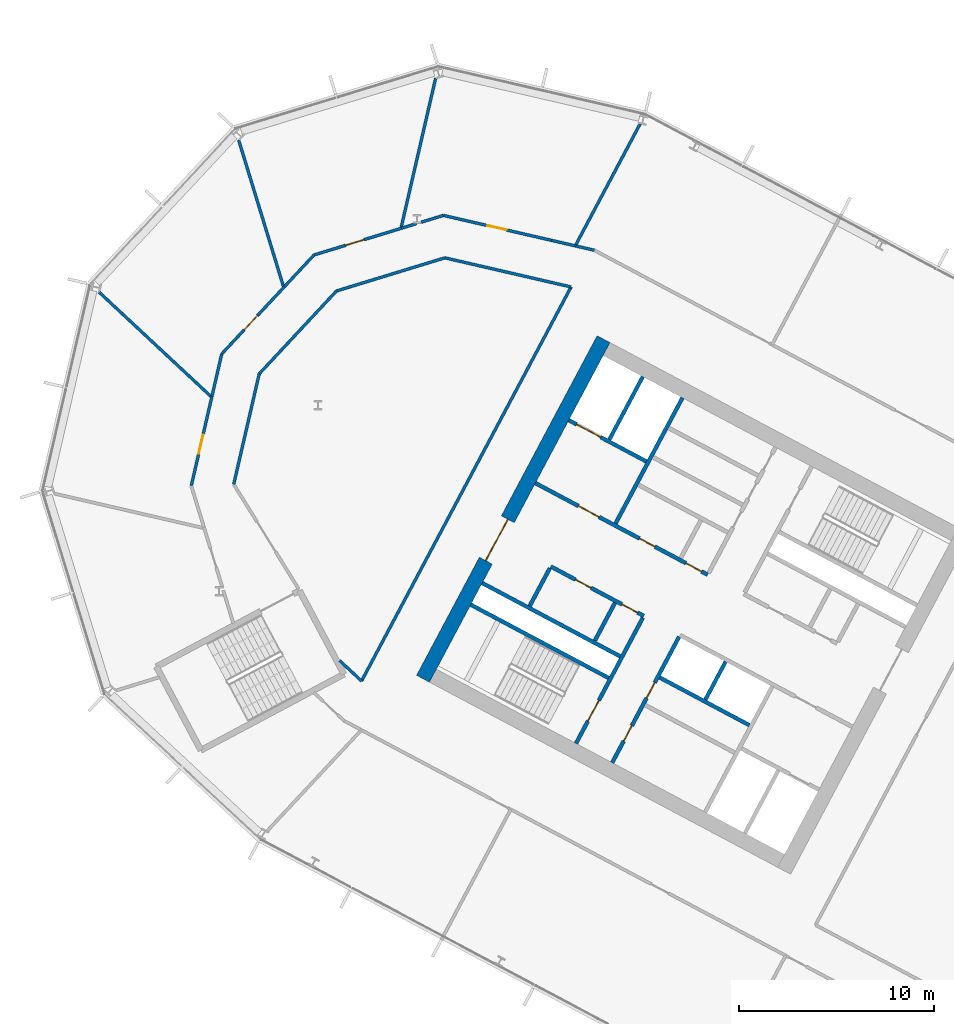
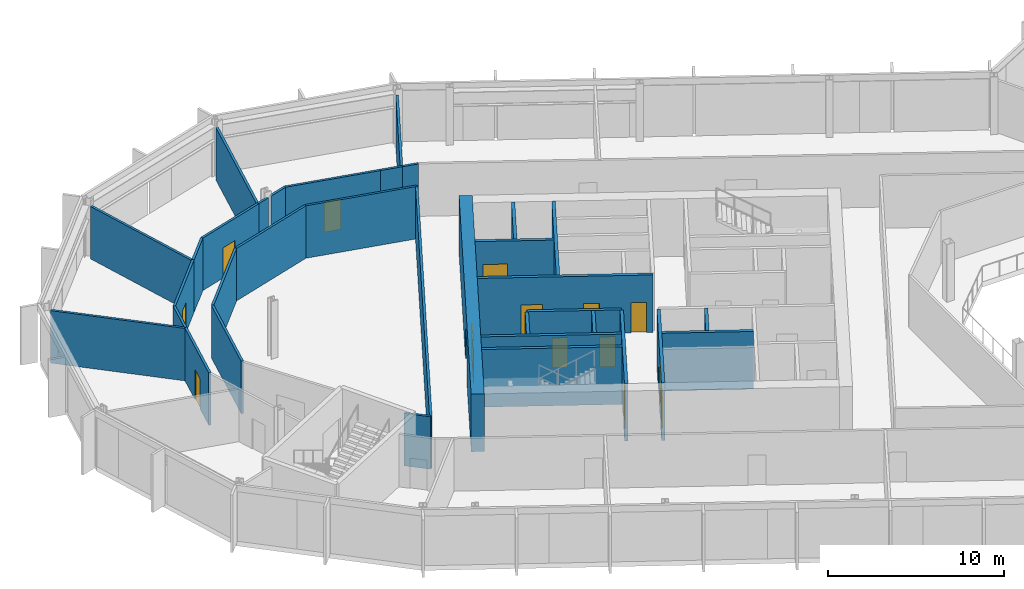
# One storey, part 14 of 28: 34 walls, 14 doors, 14 openings.
"""IFC4 building model written with IfcOpenShell, lengths in metres."""

from ifc_helpers import new_model, si_unit, direction, frame, frame_2d, origin, place, context, subcontext, project, spatial, rectangle, extrude, material, layer, layer_set, type_object, element, fill, save


model = new_model("IFC4")

# Units and contexts
model_context = context("Model", 3, precision=1e-05, world=origin(), true_north=direction((0.0, 1.0)))
body_context = subcontext(model_context, "Body", "Model", "MODEL_VIEW")
ifc_project = project(units=[si_unit("LENGTHUNIT", "METRE"), si_unit("AREAUNIT", "SQUARE_METRE"), si_unit("VOLUMEUNIT", "CUBIC_METRE"), si_unit("PLANEANGLEUNIT", "RADIAN"), si_unit("MASSUNIT", "GRAM", prefix="KILO")], contexts=[model_context])

# Site, building, storey
site_placement = place(None, origin())
site = spatial("IfcSite", under=ifc_project, at=site_placement, CompositionType="ELEMENT")
building_placement = place(site_placement, origin())
building = spatial("IfcBuilding", under=site, at=building_placement, Name="Cormorant Relay Tower", CompositionType="ELEMENT")
storey_placement = place(building_placement, frame((0.0, 0.0, 122.199951171875)))
storey = spatial("IfcBuildingStorey", under=building, at=storey_placement, Name="L24", CompositionType="ELEMENT", Elevation=122.199951171875)

# Walls
ifc_material_1 = material(Name="Concrete 40 MPa", Category="concrete")
ifc_layer_1 = layer(ifc_material_1, 0.199951171875)
ifc_layer_set_1 = layer_set([ifc_layer_1], Name="Core internal wall 200")
wall_type_1 = type_object("IfcWallType", Name="Core internal wall 200", PredefinedType="SOLIDWALL", material=ifc_layer_set_1)
wall_1_placement = place(storey_placement, frame((-25.744140625, 11.64990234375, 0.0), z_axis=(0.0, 0.0, 1.0), x_axis=(-0.469487830541, -0.882938942948, 0.0)))
element("IfcWall", 1, at=wall_1_placement, inside=storey, type_object=wall_type_1, Name="L24 core A shaft and room wall", PredefinedType="SOLIDWALL", context=body_context, shape_type="SweptSolid", body=[
    extrude(rectangle(XDim=2.2001953125, YDim=0.199951171875, at=frame_2d((1.10009765625, 0.0))), origin(), (0.0, 0.0, 1.0), 4.0),
])
wall_2_placement = place(storey_placement, frame((-31.41259765625, 14.663818359375, 0.0), z_axis=(0.0, 0.0, 1.0), x_axis=(-0.469533832133, -0.882914480843, 0.0)))
element("IfcWall", 2, at=wall_2_placement, inside=storey, type_object=wall_type_1, Name="L24 core A shaft and room wall", PredefinedType="SOLIDWALL", context=body_context, shape_type="SweptSolid", body=[
    extrude(rectangle(XDim=2.199951171875, YDim=0.199951171875, at=frame_2d((1.10009765625, 0.0))), origin(), (0.0, 0.0, 1.0), 4.0),
])

# Wall, openings, doors
ifc_material_2 = material(Name="Concrete 50 MPa", Category="concrete")
ifc_layer_2 = layer(ifc_material_2, 0.199951171875)
ifc_layer_set_2 = layer_set([ifc_layer_2], Name="Core shaft wall 200")
wall_type_2 = type_object("IfcWallType", Name="Core shaft wall 200", PredefinedType="SHEAR", material=ifc_layer_set_2)
wall_3_placement = place(storey_placement, frame((-28.128173828125, 12.91748046875, 0.0), z_axis=(0.0, 0.0, 1.0), x_axis=(-0.469454336211, -0.882956752176, 0.0)))
wall_3 = element("IfcWall", 3, at=wall_3_placement, inside=storey, type_object=wall_type_2, Name="L24 core A shaft wall", PredefinedType="SHEAR", context=body_context, shape_type="SweptSolid", body=[
    extrude(rectangle(XDim=7.300048828125, YDim=0.199951171875, at=frame_2d((3.64990234375, 0.0))), origin(), (0.0, 0.0, 1.0), 4.0),
])
opening_1_placement = place(wall_3_placement, frame((2.64990234375, 0.0, 0.0)))
opening_1 = element("IfcOpeningElement", 4, at=opening_1_placement, cuts=wall_3, Name="Opening CDD-172", PredefinedType="OPENING", context=body_context, shape_type="SweptSolid", body=[
    extrude(rectangle(XDim=0.89990234375, YDim=2.10009765625, at=frame_2d((0.449951171875, 1.050048828125))), frame((0.0, 0.10986328125, 0.0), z_axis=(0.0, -1.0, 0.0), x_axis=(1.0, 0.0, 0.0)), (0.0, 0.0, 1.0), 0.219970703125),
])
opening_2_placement = place(wall_3_placement, frame((5.14990234375, 0.0, 0.0)))
opening_2 = element("IfcOpeningElement", 5, at=opening_2_placement, cuts=wall_3, Name="Opening CDD-173", PredefinedType="OPENING", context=body_context, shape_type="SweptSolid", body=[
    extrude(rectangle(XDim=0.89990234375, YDim=2.10009765625, at=frame_2d((0.449951171875, 1.050048828125))), frame((0.0, 0.10986328125, 0.0), z_axis=(0.0, -1.0, 0.0), x_axis=(1.0, 0.0, 0.0)), (0.0, 0.0, 1.0), 0.219970703125),
])
ifc_material_3 = material(Name="Steel fire door", Category="steel")
door_type_1 = type_object("IfcDoorType", Name="Core room door 900x2100", OperationType="SINGLE_SWING_LEFT", PredefinedType="DOOR", material=ifc_material_3)
door_1_placement = place(opening_1_placement, origin())
door_1 = element("IfcDoor", 6, at=door_1_placement, inside=storey, type_object=door_type_1, Name="Core room door 900x2100", OperationType="SINGLE_SWING_LEFT", OverallHeight=2.10009765625, OverallWidth=0.89990234375, PredefinedType="DOOR", context=body_context, shape_type="SweptSolid", body=[
    extrude(rectangle(XDim=0.89990234375, YDim=2.10009765625, at=frame_2d((0.449951171875, 1.050048828125))), frame((0.0, 0.02490234375, 0.0), z_axis=(0.0, -1.0, 0.0), x_axis=(1.0, 0.0, 0.0)), (0.0, 0.0, 1.0), 0.050048828125),
])
fill(opening_1, door_1)
door_2_placement = place(opening_2_placement, origin())
door_2 = element("IfcDoor", 7, at=door_2_placement, inside=storey, type_object=door_type_1, Name="Core room door 900x2100", OperationType="SINGLE_SWING_LEFT", OverallHeight=2.10009765625, OverallWidth=0.89990234375, PredefinedType="DOOR", context=body_context, shape_type="SweptSolid", body=[
    extrude(rectangle(XDim=0.89990234375, YDim=2.10009765625, at=frame_2d((0.449951171875, 1.050048828125))), frame((0.0, 0.02490234375, 0.0), z_axis=(0.0, -1.0, 0.0), x_axis=(1.0, 0.0, 0.0)), (0.0, 0.0, 1.0), 0.050048828125),
])
fill(opening_2, door_2)

# Wall, opening, door
wall_4_placement = place(storey_placement, frame((-29.982421875, 13.9033203125, 0.0), z_axis=(0.0, 0.0, 1.0), x_axis=(-0.469454336211, -0.882956752176, 0.0)))
wall_4 = element("IfcWall", 8, at=wall_4_placement, inside=storey, type_object=wall_type_2, Name="L24 core A shaft wall", PredefinedType="SHEAR", context=body_context, shape_type="SweptSolid", body=[
    extrude(rectangle(XDim=7.300048828125, YDim=0.199951171875, at=frame_2d((3.64990234375, 0.0))), origin(), (0.0, 0.0, 1.0), 4.0),
])
opening_3_placement = place(wall_4_placement, frame((4.800048828125, 0.0, 0.0)))
opening_3 = element("IfcOpeningElement", 9, at=opening_3_placement, cuts=wall_4, Name="Opening CDB-035", PredefinedType="OPENING", context=body_context, shape_type="SweptSolid", body=[
    extrude(rectangle(XDim=1.199951171875, YDim=2.10009765625, at=frame_2d((0.60009765625, 1.050048828125))), frame((0.0, 0.10986328125, 0.0), z_axis=(0.0, -1.0, 0.0), x_axis=(1.0, 0.0, 0.0)), (0.0, 0.0, 1.0), 0.219970703125),
])
ifc_material_4 = material(Name="Steel fire door", Category="steel")
door_type_2 = type_object("IfcDoorType", Name="Core stair door 1200x2100", OperationType="SINGLE_SWING_LEFT", PredefinedType="DOOR", material=ifc_material_4)
door_3_placement = place(opening_3_placement, frame((1.199951171875, 0.0, 0.0), z_axis=(0.0, 0.0, 1.0), x_axis=(-1.0, 0.0, 0.0)))
door_3 = element("IfcDoor", 10, at=door_3_placement, inside=storey, type_object=door_type_2, Name="Core stair door 1200x2100", OperationType="SINGLE_SWING_RIGHT", OverallHeight=2.10009765625, OverallWidth=1.199951171875, PredefinedType="DOOR", context=body_context, shape_type="SweptSolid", body=[
    extrude(rectangle(XDim=1.199951171875, YDim=2.10009765625, at=frame_2d((0.60009765625, 1.050048828125))), frame((0.0, 0.02490234375, 0.0), z_axis=(0.0, -1.0, 0.0), x_axis=(1.0, 0.0, 0.0)), (0.0, 0.0, 1.0), 0.050048828125),
])
fill(opening_3, door_3)

# Walls
wall_5_placement = place(storey_placement, frame((-27.955322265625, 25.170654296875, 0.0), z_axis=(0.0, 0.0, 1.0), x_axis=(-0.469480409012, -0.88294288918, 0.0)))
element("IfcWall", 11, at=wall_5_placement, inside=storey, type_object=wall_type_2, Name="L24 core A shaft wall", PredefinedType="SHEAR", context=body_context, shape_type="SweptSolid", body=[
    extrude(rectangle(XDim=7.300048828125, YDim=0.199951171875, at=frame_2d((3.64990234375, 0.0))), origin(), (0.0, 0.0, 1.0), 4.0),
])
wall_6_placement = place(storey_placement, frame((-34.750244140625, 16.4384765625, 0.0), z_axis=(0.0, 0.0, 1.0), x_axis=(-0.469401318492, -0.882984938828, 0.0)))
element("IfcWall", 12, at=wall_6_placement, inside=storey, type_object=wall_type_2, Name="L24 core A shaft wall", PredefinedType="SHEAR", context=body_context, shape_type="SweptSolid", body=[
    extrude(rectangle(XDim=2.199951171875, YDim=0.199951171875, at=frame_2d((1.10009765625, 0.0))), origin(), (0.0, 0.0, 1.0), 4.0),
])
wall_7_placement = place(storey_placement, frame((-29.986083984375, 26.250244140625, 0.0), z_axis=(0.0, 0.0, 1.0), x_axis=(-0.469494272526, -0.882935517501, 0.0)))
element("IfcWall", 13, at=wall_7_placement, inside=storey, type_object=wall_type_2, Name="L24 core A shaft wall", PredefinedType="SHEAR", context=body_context, shape_type="SweptSolid", body=[
    extrude(rectangle(XDim=3.64990234375, YDim=0.199951171875, at=frame_2d((1.824951171875, 0.0))), origin(), (0.0, 0.0, 1.0), 4.0),
])

# Wall, opening, door
wall_8_placement = place(storey_placement, frame((-29.80419921875, 21.906494140625, 0.0), z_axis=(0.0, 0.0, 1.0), x_axis=(-0.882960433586, 0.469447412093, 0.0)))
wall_8 = element("IfcWall", 14, at=wall_8_placement, inside=storey, type_object=wall_type_2, Name="L24 core A shaft wall", PredefinedType="SHEAR", context=body_context, shape_type="SweptSolid", body=[
    extrude(rectangle(XDim=4.5, YDim=0.199951171875, at=frame_2d((2.25, 0.0))), origin(), (0.0, 0.0, 1.0), 4.0),
])
opening_4_placement = place(wall_8_placement, frame((2.64990234375, 0.0, 0.0)))
opening_4 = element("IfcOpeningElement", 15, at=opening_4_placement, cuts=wall_8, Name="Opening LD3-013", PredefinedType="OPENING", context=body_context, shape_type="SweptSolid", body=[
    extrude(rectangle(XDim=1.39990234375, YDim=2.39990234375, at=frame_2d((0.699951171875, 1.199951171875))), frame((0.0, 0.10986328125, 0.0), z_axis=(0.0, -1.0, 0.0), x_axis=(1.0, 0.0, 0.0)), (0.0, 0.0, 1.0), 0.219970703125),
])
ifc_material_5 = material(Name="Stainless steel 316", Category="steel")
door_type_3 = type_object("IfcDoorType", Name="Lift landing door 1400x2400", OperationType="DOUBLE_DOOR_SLIDING", PredefinedType="DOOR", material=ifc_material_5)
door_4_placement = place(opening_4_placement, origin())
door_4 = element("IfcDoor", 16, at=door_4_placement, inside=storey, type_object=door_type_3, Name="SV1 landing door", OperationType="DOUBLE_DOOR_SLIDING", OverallHeight=2.39990234375, OverallWidth=1.39990234375, PredefinedType="DOOR", context=body_context, shape_type="SweptSolid", body=[
    extrude(rectangle(XDim=1.39990234375, YDim=2.39990234375, at=frame_2d((0.699951171875, 1.199951171875))), frame((0.0, 0.02490234375, 0.0), z_axis=(0.0, -1.0, 0.0), x_axis=(1.0, 0.0, 0.0)), (0.0, 0.0, 1.0), 0.050048828125),
])
fill(opening_4, door_4)

# Wall, openings, doors
wall_9_placement = place(storey_placement, frame((-26.66162109375, 16.1015625, 0.0), z_axis=(0.0, 0.0, 1.0), x_axis=(-0.882940221191, 0.469485426614, 0.0)))
wall_9 = element("IfcWall", 17, at=wall_9_placement, inside=storey, type_object=wall_type_2, Name="L24 core A shaft wall", PredefinedType="SHEAR", context=body_context, shape_type="SweptSolid", body=[
    extrude(rectangle(XDim=10.0, YDim=0.199951171875, at=frame_2d((5.0, 0.0))), origin(), (0.0, 0.0, 1.0), 4.0),
])
opening_5_placement = place(wall_9_placement, frame((6.300048828125, 0.0, 0.0)))
opening_5 = element("IfcOpeningElement", 18, at=opening_5_placement, cuts=wall_9, Name="Opening CDC-026", PredefinedType="OPENING", context=body_context, shape_type="SweptSolid", body=[
    extrude(rectangle(XDim=1.199951171875, YDim=2.10009765625, at=frame_2d((0.60009765625, 1.050048828125))), frame((0.0, 0.10986328125, 0.0), z_axis=(0.0, -1.0, 0.0), x_axis=(1.0, 0.0, 0.0)), (0.0, 0.0, 1.0), 0.219970703125),
])
opening_6_placement = place(wall_9_placement, frame((0.360107421875, 0.0, 0.0)))
opening_6 = element("IfcOpeningElement", 19, at=opening_6_placement, cuts=wall_9, Name="Opening CDD-170", PredefinedType="OPENING", context=body_context, shape_type="SweptSolid", body=[
    extrude(rectangle(XDim=0.89990234375, YDim=2.10009765625, at=frame_2d((0.449951171875, 1.050048828125))), frame((0.0, 0.10986328125, 0.0), z_axis=(0.0, -1.0, 0.0), x_axis=(1.0, 0.0, 0.0)), (0.0, 0.0, 1.0), 0.219970703125),
])
opening_7_placement = place(wall_9_placement, frame((3.06005859375, 0.0, 0.0)))
opening_7 = element("IfcOpeningElement", 20, at=opening_7_placement, cuts=wall_9, Name="Opening CDD-171", PredefinedType="OPENING", context=body_context, shape_type="SweptSolid", body=[
    extrude(rectangle(XDim=0.89990234375, YDim=2.10009765625, at=frame_2d((0.449951171875, 1.050048828125))), frame((0.0, 0.10986328125, 0.0), z_axis=(0.0, -1.0, 0.0), x_axis=(1.0, 0.0, 0.0)), (0.0, 0.0, 1.0), 0.219970703125),
])
ifc_material_6 = material(Name="Steel fire door", Category="steel")
door_type_4 = type_object("IfcDoorType", Name="Core lobby door 1200x2100", OperationType="SINGLE_SWING_LEFT", PredefinedType="DOOR", material=ifc_material_6)
door_5_placement = place(opening_5_placement, origin())
door_5 = element("IfcDoor", 21, at=door_5_placement, inside=storey, type_object=door_type_4, Name="Core lobby door 1200x2100", OperationType="SINGLE_SWING_LEFT", OverallHeight=2.10009765625, OverallWidth=1.199951171875, PredefinedType="DOOR", context=body_context, shape_type="SweptSolid", body=[
    extrude(rectangle(XDim=1.199951171875, YDim=2.10009765625, at=frame_2d((0.60009765625, 1.050048828125))), frame((0.0, 0.02490234375, 0.0), z_axis=(0.0, -1.0, 0.0), x_axis=(1.0, 0.0, 0.0)), (0.0, 0.0, 1.0), 0.050048828125),
])
fill(opening_5, door_5)
door_6_placement = place(opening_6_placement, origin())
door_6 = element("IfcDoor", 22, at=door_6_placement, inside=storey, type_object=door_type_1, Name="Core room door 900x2100", OperationType="SINGLE_SWING_LEFT", OverallHeight=2.10009765625, OverallWidth=0.89990234375, PredefinedType="DOOR", context=body_context, shape_type="SweptSolid", body=[
    extrude(rectangle(XDim=0.89990234375, YDim=2.10009765625, at=frame_2d((0.449951171875, 1.050048828125))), frame((0.0, 0.02490234375, 0.0), z_axis=(0.0, -1.0, 0.0), x_axis=(1.0, 0.0, 0.0)), (0.0, 0.0, 1.0), 0.050048828125),
])
fill(opening_6, door_6)
door_7_placement = place(opening_7_placement, origin())
door_7 = element("IfcDoor", 23, at=door_7_placement, inside=storey, type_object=door_type_1, Name="Core room door 900x2100", OperationType="SINGLE_SWING_LEFT", OverallHeight=2.10009765625, OverallWidth=0.89990234375, PredefinedType="DOOR", context=body_context, shape_type="SweptSolid", body=[
    extrude(rectangle(XDim=0.89990234375, YDim=2.10009765625, at=frame_2d((0.449951171875, 1.050048828125))), frame((0.0, 0.02490234375, 0.0), z_axis=(0.0, -1.0, 0.0), x_axis=(1.0, 0.0, 0.0)), (0.0, 0.0, 1.0), 0.050048828125),
])
fill(opening_7, door_7)

wall_10_placement = place(storey_placement, frame((-29.935302734375, 13.991455078125, 0.0), z_axis=(0.0, 0.0, 1.0), x_axis=(-0.882952937579, 0.469461510692, 0.0)))
wall_10 = element("IfcWall", 24, at=wall_10_placement, inside=storey, type_object=wall_type_2, Name="L24 core A shaft wall", PredefinedType="SHEAR", context=body_context, shape_type="SweptSolid", body=[
    extrude(rectangle(XDim=5.400146484375, YDim=0.199951171875, at=frame_2d((2.7001953125, 0.0))), origin(), (0.0, 0.0, 1.0), 4.0),
])
opening_8_placement = place(wall_10_placement, frame((0.360107421875, 0.0, 0.0)))
opening_8 = element("IfcOpeningElement", 25, at=opening_8_placement, cuts=wall_10, Name="Opening CDD-166", PredefinedType="OPENING", context=body_context, shape_type="SweptSolid", body=[
    extrude(rectangle(XDim=0.89990234375, YDim=2.10009765625, at=frame_2d((0.449951171875, 1.050048828125))), frame((0.0, 0.10986328125, 0.0), z_axis=(0.0, -1.0, 0.0), x_axis=(1.0, 0.0, 0.0)), (0.0, 0.0, 1.0), 0.219970703125),
])
opening_9_placement = place(wall_10_placement, frame((3.06005859375, 0.0, 0.0)))
opening_9 = element("IfcOpeningElement", 26, at=opening_9_placement, cuts=wall_10, Name="Opening CDD-167", PredefinedType="OPENING", context=body_context, shape_type="SweptSolid", body=[
    extrude(rectangle(XDim=0.89990234375, YDim=2.10009765625, at=frame_2d((0.449951171875, 1.050048828125))), frame((0.0, 0.10986328125, 0.0), z_axis=(0.0, -1.0, 0.0), x_axis=(1.0, 0.0, 0.0)), (0.0, 0.0, 1.0), 0.219970703125),
])
door_8_placement = place(opening_8_placement, origin())
door_8 = element("IfcDoor", 27, at=door_8_placement, inside=storey, type_object=door_type_1, Name="Core room door 900x2100", OperationType="SINGLE_SWING_LEFT", OverallHeight=2.10009765625, OverallWidth=0.89990234375, PredefinedType="DOOR", context=body_context, shape_type="SweptSolid", body=[
    extrude(rectangle(XDim=0.89990234375, YDim=2.10009765625, at=frame_2d((0.449951171875, 1.050048828125))), frame((0.0, 0.02490234375, 0.0), z_axis=(0.0, -1.0, 0.0), x_axis=(1.0, 0.0, 0.0)), (0.0, 0.0, 1.0), 0.050048828125),
])
fill(opening_8, door_8)
door_9_placement = place(opening_9_placement, origin())
door_9 = element("IfcDoor", 28, at=door_9_placement, inside=storey, type_object=door_type_1, Name="Core room door 900x2100", OperationType="SINGLE_SWING_LEFT", OverallHeight=2.10009765625, OverallWidth=0.89990234375, PredefinedType="DOOR", context=body_context, shape_type="SweptSolid", body=[
    extrude(rectangle(XDim=0.89990234375, YDim=2.10009765625, at=frame_2d((0.449951171875, 1.050048828125))), frame((0.0, 0.02490234375, 0.0), z_axis=(0.0, -1.0, 0.0), x_axis=(1.0, 0.0, 0.0)), (0.0, 0.0, 1.0), 0.050048828125),
])
fill(opening_9, door_9)

# Walls
wall_11_placement = place(storey_placement, frame((-24.5283203125, 8.3984375, 0.0), z_axis=(0.0, 0.0, 1.0), x_axis=(-0.882953967957, 0.469459572775, 0.0)))
element("IfcWall", 29, at=wall_11_placement, inside=storey, type_object=wall_type_2, Name="L24 core A shaft wall", PredefinedType="SHEAR", context=body_context, shape_type="SweptSolid", body=[
    extrude(rectangle(XDim=5.199951171875, YDim=0.199951171875, at=frame_2d((2.60009765625, 0.0))), origin(), (0.0, 0.0, 1.0), 4.0),
])
for number, where, z_axis, x_axis, name in (
    (30, (-31.150390625, 11.91943359375, 0.0), (0.0, 0.0, 1.0), (-0.882940221191, 0.469485426614, 0.0), "L24 core A shaft wall"),
    (31, (-31.7373046875, 10.815673828125, 0.0), (0.0, 0.0, 1.0), (-0.882940221191, 0.469485426614, 0.0), "L24 core A shaft wall"),
):
    element("IfcWall", number, at=place(storey_placement, frame(where, z_axis=z_axis, x_axis=x_axis)), inside=storey, type_object=wall_type_2, Name=name, PredefinedType="SHEAR", context=body_context, shape_type="SweptSolid", body=[
        extrude(rectangle(XDim=8.0, YDim=0.199951171875, at=frame_2d((4.0, 0.0))), origin(), (0.0, 0.0, 1.0), 4.0),
    ])

# Wall, opening, door
ifc_material_7 = material(Name="Concrete 60 MPa", Category="concrete")
ifc_layer_3 = layer(ifc_material_7, 0.75)
ifc_layer_set_3 = layer_set([ifc_layer_3], Name="Core wall 750")
wall_type_3 = type_object("IfcWallType", Name="Core wall 750", PredefinedType="SHEAR", material=ifc_layer_set_3)
wall_12_placement = place(storey_placement, frame((-31.995849609375, 28.16845703125, 0.0), z_axis=(0.0, 0.0, 1.0), x_axis=(-0.469479580143, -0.882943329908, 0.0)))
wall_12 = element("IfcWall", 32, at=wall_12_placement, inside=storey, type_object=wall_type_3, Name="L24 core A wall", PredefinedType="SHEAR", context=body_context, shape_type="SweptSolid", body=[
    extrude(rectangle(XDim=19.699951171875, YDim=0.75, at=frame_2d((9.85009765625, 0.0))), origin(), (0.0, 0.0, 1.0), 4.0),
])
opening_10_placement = place(wall_12_placement, frame((10.449951171875, 0.0, 0.0)))
opening_10 = element("IfcOpeningElement", 33, at=opening_10_placement, cuts=wall_12, Name="Opening CDA-027", PredefinedType="OPENING", context=body_context, shape_type="SweptSolid", body=[
    extrude(rectangle(XDim=2.39990234375, YDim=2.39990234375, at=frame_2d((1.199951171875, 1.199951171875))), frame((0.0, 0.385009765625, 0.0), z_axis=(0.0, -1.0, 0.0), x_axis=(1.0, 0.0, 0.0)), (0.0, 0.0, 1.0), 0.77001953125),
])
ifc_material_8 = material(Name="Steel fire door", Category="steel")
door_type_5 = type_object("IfcDoorType", Name="Core lobby door 2400x2400", OperationType="DOUBLE_DOOR_SINGLE_SWING", PredefinedType="DOOR", material=ifc_material_8)
door_10_placement = place(opening_10_placement, origin())
door_10 = element("IfcDoor", 34, at=door_10_placement, inside=storey, type_object=door_type_5, Name="Core lobby door 2400x2400", OperationType="DOUBLE_DOOR_SINGLE_SWING", OverallHeight=2.39990234375, OverallWidth=2.39990234375, PredefinedType="DOOR", context=body_context, shape_type="SweptSolid", body=[
    extrude(rectangle(XDim=2.39990234375, YDim=2.39990234375, at=frame_2d((1.199951171875, 1.199951171875))), frame((0.0, 0.02490234375, 0.0), z_axis=(0.0, -1.0, 0.0), x_axis=(1.0, 0.0, 0.0)), (0.0, 0.0, 1.0), 0.050048828125),
])
fill(opening_10, door_10)

ifc_material_9 = material(Name="Gypsum board fire partition")
ifc_layer_4 = layer(ifc_material_9, 0.14990234375)
ifc_layer_set_4 = layer_set([ifc_layer_4], Name="Corridor partition 150 EI 60")
wall_type_4 = type_object("IfcWallType", Name="Corridor partition 150 EI 60", PredefinedType="PARTITIONING", material=ifc_layer_set_4)
wall_13_placement = place(storey_placement, frame((-52.055908203125, 25.24609375, 0.0), z_axis=(0.0, 0.0, 1.0), x_axis=(-0.224961765576, -0.97436759184, 0.0)))
wall_13 = element("IfcWall", 35, at=wall_13_placement, inside=storey, type_object=wall_type_4, Name="wall/L24/part/004", PredefinedType="PARTITIONING", context=body_context, shape_type="SweptSolid", body=[
    extrude(rectangle(XDim=4.707763671875, YDim=0.14990234375, at=frame_2d((2.35400390625, 0.0))), origin(), (0.0, 0.0, 1.0), 3.64013671875),
])
opening_11_placement = place(wall_13_placement, frame((2.02392578125, 0.0, 0.0)))
opening_11 = element("IfcOpeningElement", 36, at=opening_11_placement, cuts=wall_13, Name="Opening DS-011", PredefinedType="OPENING", context=body_context, shape_type="SweptSolid", body=[
    extrude(rectangle(XDim=1.0, YDim=2.10009765625, at=frame_2d((0.5, 1.050048828125))), frame((0.0, 0.0849609375, 0.0), z_axis=(0.0, -1.0, 0.0), x_axis=(1.0, 0.0, 0.0)), (0.0, 0.0, 1.0), 0.169921875),
])
ifc_material_10 = material(Name="Timber door leaf", Category="wood")
door_type_6 = type_object("IfcDoorType", Name="Suite door 1000x2100", OperationType="SINGLE_SWING_LEFT", PredefinedType="DOOR", material=ifc_material_10)
door_11_placement = place(opening_11_placement, frame((1.0, 0.0, 0.0), z_axis=(0.0, 0.0, 1.0), x_axis=(-1.0, 0.0, 0.0)))
door_11 = element("IfcDoor", 37, at=door_11_placement, inside=storey, type_object=door_type_6, Name="door/L24/015", OperationType="SINGLE_SWING_RIGHT", OverallHeight=2.10009765625, OverallWidth=1.0, PredefinedType="DOOR", context=body_context, shape_type="SweptSolid", body=[
    extrude(rectangle(XDim=1.0, YDim=2.10009765625, at=frame_2d((0.5, 1.050048828125))), frame((0.0, 0.02490234375, 0.0), z_axis=(0.0, -1.0, 0.0), x_axis=(1.0, 0.0, 0.0)), (0.0, 0.0, 1.0), 0.050048828125),
])
fill(opening_11, door_11)

wall_14_placement = place(storey_placement, frame((-48.344970703125, 30.85595703125, 0.0), z_axis=(0.0, 0.0, 1.0), x_axis=(-0.682044743799, -0.731310445335, 0.0)))
wall_14 = element("IfcWall", 38, at=wall_14_placement, inside=storey, type_object=wall_type_4, Name="wall/L24/part/008", PredefinedType="PARTITIONING", context=body_context, shape_type="SweptSolid", body=[
    extrude(rectangle(XDim=4.707763671875, YDim=0.14990234375, at=frame_2d((2.35400390625, 0.0))), origin(), (0.0, 0.0, 1.0), 3.64013671875),
])
opening_12_placement = place(wall_14_placement, frame((2.02392578125, 0.0, 0.0)))
opening_12 = element("IfcOpeningElement", 39, at=opening_12_placement, cuts=wall_14, Name="Opening DS-010", PredefinedType="OPENING", context=body_context, shape_type="SweptSolid", body=[
    extrude(rectangle(XDim=1.0, YDim=2.10009765625, at=frame_2d((0.5, 1.050048828125))), frame((0.0, 0.0849609375, 0.0), z_axis=(0.0, -1.0, 0.0), x_axis=(1.0, 0.0, 0.0)), (0.0, 0.0, 1.0), 0.169921875),
])
door_12_placement = place(opening_12_placement, frame((1.0, 0.0, 0.0), z_axis=(0.0, 0.0, 1.0), x_axis=(-1.0, 0.0, 0.0)))
door_12 = element("IfcDoor", 40, at=door_12_placement, inside=storey, type_object=door_type_6, Name="door/L24/014", OperationType="SINGLE_SWING_RIGHT", OverallHeight=2.10009765625, OverallWidth=1.0, PredefinedType="DOOR", context=body_context, shape_type="SweptSolid", body=[
    extrude(rectangle(XDim=1.0, YDim=2.10009765625, at=frame_2d((0.5, 1.050048828125))), frame((0.0, 0.02490234375, 0.0), z_axis=(0.0, -1.0, 0.0), x_axis=(1.0, 0.0, 0.0)), (0.0, 0.0, 1.0), 0.050048828125),
])
fill(opening_12, door_12)

# Wall
wall_15_placement = place(storey_placement, frame((-51.555908203125, 27.4130859375, 0.0), z_axis=(0.0, 0.0, 1.0), x_axis=(-0.225019992363, -0.974354146621, 0.0)))
element("IfcWall", 41, at=wall_15_placement, inside=storey, type_object=wall_type_4, Name="wall/L24/part/009", PredefinedType="PARTITIONING", context=body_context, shape_type="SweptSolid", body=[
    extrude(rectangle(XDim=2.221923828125, YDim=0.14990234375, at=frame_2d((1.11083984375, 0.0))), origin(), (0.0, 0.0, 1.0), 3.64013671875),
])

# Wall, opening, door
wall_16_placement = place(storey_placement, frame((-42.325927734375, 33.85791015625, 0.0), z_axis=(0.0, 0.0, 1.0), x_axis=(-0.956351168554, -0.292219852858, 0.0)))
wall_16 = element("IfcWall", 42, at=wall_16_placement, inside=storey, type_object=wall_type_4, Name="wall/L24/part/013", PredefinedType="PARTITIONING", context=body_context, shape_type="SweptSolid", body=[
    extrude(rectangle(XDim=4.708740234375, YDim=0.14990234375, at=frame_2d((2.3544921875, 0.0))), origin(), (0.0, 0.0, 1.0), 3.64013671875),
])
opening_13_placement = place(wall_16_placement, frame((2.02490234375, 0.0, 0.0)))
opening_13 = element("IfcOpeningElement", 43, at=opening_13_placement, cuts=wall_16, Name="Opening DS-009", PredefinedType="OPENING", context=body_context, shape_type="SweptSolid", body=[
    extrude(rectangle(XDim=1.0, YDim=2.10009765625, at=frame_2d((0.5, 1.050048828125))), frame((0.0, 0.0849609375, 0.0), z_axis=(0.0, -1.0, 0.0), x_axis=(1.0, 0.0, 0.0)), (0.0, 0.0, 1.0), 0.169921875),
])
door_13_placement = place(opening_13_placement, frame((1.0, 0.0, 0.0), z_axis=(0.0, 0.0, 1.0), x_axis=(-1.0, 0.0, 0.0)))
door_13 = element("IfcDoor", 44, at=door_13_placement, inside=storey, type_object=door_type_6, Name="door/L24/013", OperationType="SINGLE_SWING_RIGHT", OverallHeight=2.10009765625, OverallWidth=1.0, PredefinedType="DOOR", context=body_context, shape_type="SweptSolid", body=[
    extrude(rectangle(XDim=1.0, YDim=2.10009765625, at=frame_2d((0.5, 1.050048828125))), frame((0.0, 0.02490234375, 0.0), z_axis=(0.0, -1.0, 0.0), x_axis=(1.0, 0.0, 0.0)), (0.0, 0.0, 1.0), 0.050048828125),
])
fill(opening_13, door_13)

# Walls
wall_17_placement = place(storey_placement, frame((-46.8291015625, 32.48193359375, 0.0), z_axis=(0.0, 0.0, 1.0), x_axis=(-0.681891349178, -0.731453476249, 0.0)))
element("IfcWall", 45, at=wall_17_placement, inside=storey, type_object=wall_type_4, Name="wall/L24/part/014", PredefinedType="PARTITIONING", context=body_context, shape_type="SweptSolid", body=[
    extrude(rectangle(XDim=2.2216796875, YDim=0.14990234375, at=frame_2d((1.11083984375, 0.0))), origin(), (0.0, 0.0, 1.0), 3.64013671875),
])
wall_18_placement = place(storey_placement, frame((-50.94189453125, 20.735107421875, 0.0), z_axis=(0.0, 0.0, 1.0), x_axis=(0.224933214218, 0.974374183331, 0.0)))
element("IfcWall", 46, at=wall_18_placement, inside=storey, type_object=wall_type_4, Name="wall/L24/part/016", PredefinedType="PARTITIONING", context=body_context, shape_type="SweptSolid", body=[
    extrude(rectangle(XDim=5.8056640625, YDim=0.14990234375, at=frame_2d((2.90283203125, 0.0))), origin(), (0.0, 0.0, 1.0), 3.64013671875),
])
wall_19_placement = place(storey_placement, frame((-49.635986328125, 26.39208984375, 0.0), z_axis=(0.0, 0.0, 1.0), x_axis=(0.681967545176, 0.731382435752, 0.0)))
element("IfcWall", 47, at=wall_19_placement, inside=storey, type_object=wall_type_4, Name="wall/L24/part/017", PredefinedType="PARTITIONING", context=body_context, shape_type="SweptSolid", body=[
    extrude(rectangle(XDim=5.80517578125, YDim=0.14990234375, at=frame_2d((2.902587890625, 0.0))), origin(), (0.0, 0.0, 1.0), 3.64013671875),
])
wall_20_placement = place(storey_placement, frame((-45.677001953125, 30.637939453125, 0.0), z_axis=(0.0, 0.0, 1.0), x_axis=(0.956291169849, 0.292416139208, 0.0)))
element("IfcWall", 48, at=wall_20_placement, inside=storey, type_object=wall_type_4, Name="wall/L24/part/018", PredefinedType="PARTITIONING", context=body_context, shape_type="SweptSolid", body=[
    extrude(rectangle(XDim=5.806884765625, YDim=0.14990234375, at=frame_2d((2.9033203125, 0.0))), origin(), (0.0, 0.0, 1.0), 3.64013671875),
])
wall_21_placement = place(storey_placement, frame((-40.1240234375, 32.3359375, 0.0), z_axis=(0.0, 0.0, 1.0), x_axis=(0.974383752234, -0.224891759259, 0.0)))
element("IfcWall", 49, at=wall_21_placement, inside=storey, type_object=wall_type_4, Name="wall/L24/part/019", PredefinedType="PARTITIONING", context=body_context, shape_type="SweptSolid", body=[
    extrude(rectangle(XDim=6.634033203125, YDim=0.14990234375, at=frame_2d((3.31689453125, 0.0))), origin(), (0.0, 0.0, 1.0), 3.64013671875),
])
wall_22_placement = place(storey_placement, frame((-33.659912109375, 30.843994140625, 0.0), z_axis=(0.0, 0.0, 1.0), x_axis=(-0.469473234242, -0.882946704128, 0.0)))
element("IfcWall", 50, at=wall_22_placement, inside=storey, type_object=wall_type_4, Name="wall/L24/part/020", PredefinedType="PARTITIONING", context=body_context, shape_type="SweptSolid", body=[
    extrude(rectangle(XDim=22.862060546875, YDim=0.14990234375, at=frame_2d((11.43115234375, 0.0))), origin(), (0.0, 0.0, 1.0), 3.64013671875),
])

# Wall, opening, door
wall_23_placement = place(storey_placement, frame((-34.677001953125, 33.23388671875, 0.0), z_axis=(0.0, 0.0, 1.0), x_axis=(-0.974367234575, 0.224963312978, 0.0)))
wall_23 = element("IfcWall", 51, at=wall_23_placement, inside=storey, type_object=wall_type_4, Name="wall/L24/part/026", PredefinedType="PARTITIONING", context=body_context, shape_type="SweptSolid", body=[
    extrude(rectangle(XDim=5.668212890625, YDim=0.14990234375, at=frame_2d((2.833984375, 0.0))), origin(), (0.0, 0.0, 1.0), 3.64013671875),
])
opening_14_placement = place(wall_23_placement, frame((2.35009765625, 0.0, 0.0)))
opening_14 = element("IfcOpeningElement", 52, at=opening_14_placement, cuts=wall_23, Name="Opening DS-008", PredefinedType="OPENING", context=body_context, shape_type="SweptSolid", body=[
    extrude(rectangle(XDim=1.0, YDim=2.10009765625, at=frame_2d((0.5, 1.050048828125))), frame((0.0, 0.0849609375, 0.0), z_axis=(0.0, -1.0, 0.0), x_axis=(1.0, 0.0, 0.0)), (0.0, 0.0, 1.0), 0.169921875),
])
door_14_placement = place(opening_14_placement, frame((1.0, 0.0, 0.0), z_axis=(0.0, 0.0, 1.0), x_axis=(-1.0, 0.0, 0.0)))
door_14 = element("IfcDoor", 53, at=door_14_placement, inside=storey, type_object=door_type_6, Name="door/L24/012", OperationType="SINGLE_SWING_RIGHT", OverallHeight=2.10009765625, OverallWidth=1.0, PredefinedType="DOOR", context=body_context, shape_type="SweptSolid", body=[
    extrude(rectangle(XDim=1.0, YDim=2.10009765625, at=frame_2d((0.5, 1.050048828125))), frame((0.0, 0.02490234375, 0.0), z_axis=(0.0, -1.0, 0.0), x_axis=(1.0, 0.0, 0.0)), (0.0, 0.0, 1.0), 0.050048828125),
])
fill(opening_14, door_14)

# Walls
wall_24_placement = place(storey_placement, frame((-40.199951171875, 34.509033203125, 0.0), z_axis=(0.0, 0.0, 1.0), x_axis=(-0.956177669283, -0.29278706386, 0.0)))
element("IfcWall", 54, at=wall_24_placement, inside=storey, type_object=wall_type_4, Name="wall/L24/part/027", PredefinedType="PARTITIONING", context=body_context, shape_type="SweptSolid", body=[
    extrude(rectangle(XDim=1.18896484375, YDim=0.14990234375, at=frame_2d((0.594482421875, 0.0))), origin(), (0.0, 0.0, 1.0), 3.64013671875),
])
wall_25_placement = place(storey_placement, frame((-41.58203125, 34.0869140625, 0.0), z_axis=(0.0, 0.0, 1.0), x_axis=(-0.956187735772, -0.292754186919, 0.0)))
element("IfcWall", 55, at=wall_25_placement, inside=storey, type_object=wall_type_4, Name="wall/L24/part/028", PredefinedType="PARTITIONING", context=body_context, shape_type="SweptSolid", body=[
    extrude(rectangle(XDim=0.798828125, YDim=0.14990234375, at=frame_2d((0.3994140625, 0.0))), origin(), (0.0, 0.0, 1.0), 3.64013671875),
])
wall_26_placement = place(storey_placement, frame((-34.677001953125, 33.23388671875, 0.0), z_axis=(0.0, 0.0, 1.0), x_axis=(0.974222435733, -0.22558955143, 0.0)))
element("IfcWall", 56, at=wall_26_placement, inside=storey, type_object=wall_type_4, Name="wall/L24/part/030", PredefinedType="PARTITIONING", context=body_context, shape_type="SweptSolid", body=[
    extrude(rectangle(XDim=1.29443359375, YDim=0.14990234375, at=frame_2d((0.647216796875, 0.0))), origin(), (0.0, 0.0, 1.0), 3.64013671875),
])
wall_27_placement = place(storey_placement, frame((-32.469970703125, 32.72412109375, 0.0), z_axis=(0.0, 0.0, 1.0), x_axis=(-0.974513968147, 0.224326828281, 0.0)))
element("IfcWall", 57, at=wall_27_placement, inside=storey, type_object=wall_type_4, Name="wall/L24/part/032", PredefinedType="PARTITIONING", context=body_context, shape_type="SweptSolid", body=[
    extrude(rectangle(XDim=0.970703125, YDim=0.14990234375, at=frame_2d((0.4853515625, 0.0))), origin(), (0.0, 0.0, 1.0), 3.64013671875),
])
ifc_material_11 = material(Name="Gypsum board partition")
ifc_layer_5 = layer(ifc_material_11, 0.14990234375)
ifc_layer_set_5 = layer_set([ifc_layer_5], Name="Tenant partition 150")
wall_type_5 = type_object("IfcWallType", Name="Tenant partition 150", PredefinedType="PARTITIONING", material=ifc_layer_set_5)
wall_28_placement = place(storey_placement, frame((-57.841064453125, 30.580078125, 0.0), z_axis=(0.0, 0.0, 1.0), x_axis=(0.731373012185, -0.681977651428, 0.0)))
element("IfcWall", 58, at=wall_28_placement, inside=storey, type_object=wall_type_5, Name="wall/L24/part/002", PredefinedType="PARTITIONING", context=body_context, shape_type="SweptSolid", body=[
    extrude(rectangle(XDim=7.893310546875, YDim=0.14990234375, at=frame_2d((3.94677734375, 0.0))), origin(), (0.0, 0.0, 1.0), 3.64013671875),
])
wall_29_placement = place(storey_placement, frame((-50.68798828125, 38.365966796875, 0.0), z_axis=(0.0, 0.0, 1.0), x_axis=(0.292463739097, -0.956276613388, 0.0)))
element("IfcWall", 59, at=wall_29_placement, inside=storey, type_object=wall_type_5, Name="wall/L24/part/010", PredefinedType="PARTITIONING", context=body_context, shape_type="SweptSolid", body=[
    extrude(rectangle(XDim=7.891845703125, YDim=0.14990234375, at=frame_2d((3.94580078125, 0.0))), origin(), (0.0, 0.0, 1.0), 3.64013671875),
])
wall_30_placement = place(storey_placement, frame((-44.39306640625, 10.657958984375, 0.0), z_axis=(0.0, 0.0, 1.0), x_axis=(-0.731694425371, 0.681632795485, 0.0)))
element("IfcWall", 60, at=wall_30_placement, inside=storey, type_object=wall_type_5, Name="wall/L24/part/021", PredefinedType="PARTITIONING", context=body_context, shape_type="SweptSolid", body=[
    extrude(rectangle(XDim=1.5361328125, YDim=0.14990234375, at=frame_2d((0.76806640625, 0.0))), origin(), (0.0, 0.0, 1.0), 3.64013671875),
])
wall_31_placement = place(storey_placement, frame((-40.59912109375, 41.533935546875, 0.0), z_axis=(0.0, 0.0, 1.0), x_axis=(-0.225013130649, -0.974355731258, 0.0)))
element("IfcWall", 61, at=wall_31_placement, inside=storey, type_object=wall_type_5, Name="wall/L24/part/025", PredefinedType="PARTITIONING", context=body_context, shape_type="SweptSolid", body=[
    extrude(rectangle(XDim=7.892333984375, YDim=0.14990234375, at=frame_2d((3.9462890625, 0.0))), origin(), (0.0, 0.0, 1.0), 3.64013671875),
])
wall_32_placement = place(storey_placement, frame((-30.12890625, 39.18798828125, 0.0), z_axis=(0.0, 0.0, 1.0), x_axis=(-0.469506376509, -0.882929081194, 0.0)))
element("IfcWall", 62, at=wall_32_placement, inside=storey, type_object=wall_type_5, Name="wall/L24/part/031", PredefinedType="PARTITIONING", context=body_context, shape_type="SweptSolid", body=[
    extrude(rectangle(XDim=7.065185546875, YDim=0.14990234375, at=frame_2d((3.53271484375, 0.0))), origin(), (0.0, 0.0, 1.0), 3.64013671875),
])

save(model, "model.ifc")
